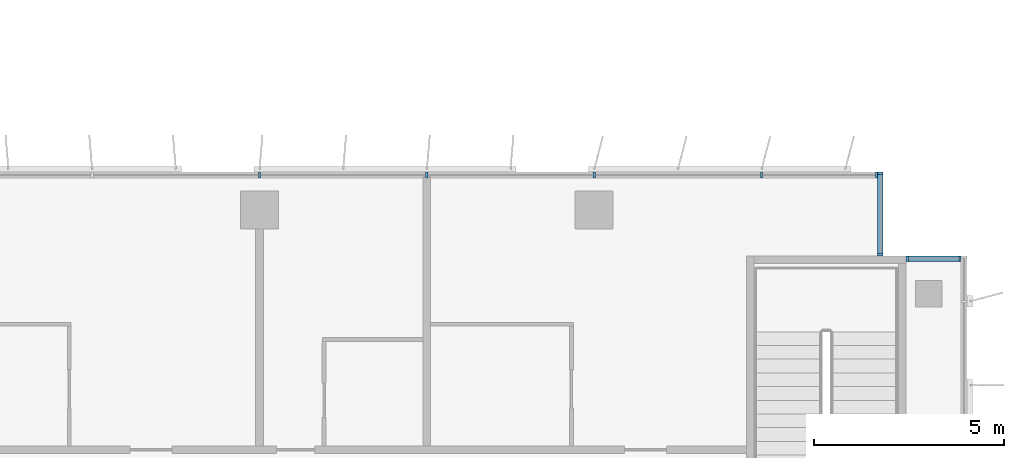
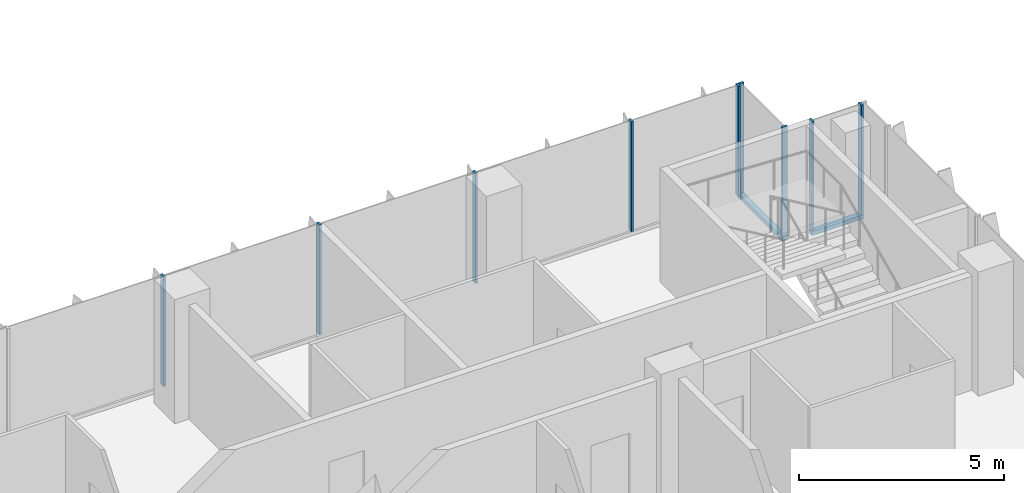
# One storey, part 4 of 21: 11 members, 3 elements without a shape of their own.
"""IFC4 building model written with IfcOpenShell, lengths in metres."""

from ifc_helpers import new_model, si_unit, direction, frame, origin, origin_2d, place, context, subcontext, project, spatial, rectangle, extrude, source, transform, mapped, material, material_profile, profile_set, type_object, element, aggregate, save


model = new_model("IFC4")

# Units and contexts
model_context = context("Model", 3, precision=1e-05, world=origin(), true_north=direction((0.0, 1.0)))
body_context = subcontext(model_context, "Body", "Model", "MODEL_VIEW")
ifc_project = project(units=[si_unit("LENGTHUNIT", "METRE"), si_unit("AREAUNIT", "SQUARE_METRE"), si_unit("VOLUMEUNIT", "CUBIC_METRE"), si_unit("PLANEANGLEUNIT", "RADIAN"), si_unit("MASSUNIT", "GRAM", prefix="KILO")], contexts=[model_context])

# Site, building, storey
site_placement = place(None, origin())
site = spatial("IfcSite", under=ifc_project, at=site_placement, CompositionType="ELEMENT")
building_placement = place(site_placement, origin())
building = spatial("IfcBuilding", under=site, at=building_placement, Name="Kemantara Hotel Tower", CompositionType="ELEMENT")
storey_placement = place(building_placement, frame((0.0, 0.0, 160.5)))
storey = spatial("IfcBuildingStorey", under=building, at=storey_placement, Name="L39", CompositionType="ELEMENT", Elevation=160.5)

# Curtain wall, member
ifc_material_1 = material(Name="Low-E tinted double insulated glass 36 mm", Category="glass")
curtain_wall_type = type_object("IfcCurtainWallType", Name="TOWER CURTAIN WALL, FRONT FACES", PredefinedType="USERDEFINED", material=ifc_material_1)
curtain_wall_1_placement = place(storey_placement, origin())
curtain_wall_1 = element("IfcCurtainWall", 1, at=curtain_wall_1_placement, inside=storey, type_object=curtain_wall_type, Name="CW4 L39 T3-R12-1", ObjectType="TOWER CURTAIN WALL, FRONT FACES", PredefinedType="USERDEFINED")
ifc_material_2 = material(Name="Aluminium 6063-T6 bronze anodised", Category="aluminium")
ifc_material_profile_1 = material_profile(ifc_material_2, rectangle(XDim=0.14990234375, YDim=0.1201171875, at=origin_2d()), Name="TOWER CURTAIN WALL, FRONT FACES TRANSOM")
ifc_profile_set_1 = profile_set([ifc_material_profile_1], Name="Aluminium 6063-T6 bronze anodised")
member_type_1 = type_object("IfcMemberType", Name="TOWER CURTAIN WALL, FRONT FACES TRANSOM", PredefinedType="USERDEFINED", material=ifc_profile_set_1)
member_1_placement = place(storey_placement, frame((63.449951171875, 19.72509765625, 0.06005859375), z_axis=(-1.0, 0.0, 0.0), x_axis=(0.0, -1.0, 0.0)))
member_1 = element("IfcMember", 2, at=member_1_placement, type_object=member_type_1, Name="CW4 sill transom T3-R12-1", ObjectType="TRANSOM", PredefinedType="USERDEFINED", context=body_context, shape_type="SweptSolid", body=[
    extrude(rectangle(XDim=0.14990234375, YDim=0.1201171875, at=origin_2d()), origin(), (0.0, 0.0, 1.0), 1.449951171875),
])

curtain_wall_2_placement = place(storey_placement, origin())
curtain_wall_2 = element("IfcCurtainWall", 3, at=curtain_wall_2_placement, inside=storey, type_object=curtain_wall_type, Name="CW4 L39 T3-R13-1", ObjectType="TOWER CURTAIN WALL, FRONT FACES", PredefinedType="USERDEFINED")
member_2_placement = place(storey_placement, frame((61.324951171875, 19.800048828125, 0.06005859375), z_axis=(0.0, 1.0, 0.0), x_axis=(-1.0, 0.0, 0.0)))
member_2 = element("IfcMember", 4, at=member_2_placement, type_object=member_type_1, Name="CW4 sill transom T3-R13-1", ObjectType="TRANSOM", PredefinedType="USERDEFINED", context=body_context, shape_type="SweptSolid", body=[
    extrude(rectangle(XDim=0.14990234375, YDim=0.1201171875, at=origin_2d()), origin(), (0.0, 0.0, 1.0), 2.199951171875),
])

# Curtain wall, members
curtain_wall_3_placement = place(storey_placement, origin())
curtain_wall_3 = element("IfcCurtainWall", 5, at=curtain_wall_3_placement, inside=storey, type_object=curtain_wall_type, Name="CW4 L39 T3-R14-1", ObjectType="TOWER CURTAIN WALL, FRONT FACES", PredefinedType="USERDEFINED")
ifc_material_profile_2 = material_profile(ifc_material_2, rectangle(XDim=0.14990234375, YDim=0.06005859375, at=origin_2d()), Name="TOWER CURTAIN WALL, FRONT FACES MULLION")
ifc_profile_set_2 = profile_set([ifc_material_profile_2], Name="Aluminium 6063-T6 bronze anodised")
member_type_2 = type_object("IfcMemberType", Name="TOWER CURTAIN WALL, FRONT FACES MULLION", PredefinedType="MULLION", material=ifc_profile_set_2)
shared_shape = source(origin(), body_context, "Body", "SweptSolid", [
    extrude(rectangle(XDim=0.14990234375, YDim=0.06005859375, at=origin_2d()), origin(), (0.0, 0.0, 1.0), 3.27978515625),
])
member_3_placement = place(storey_placement, frame((61.219970703125, 21.925048828125, 0.1201171875), z_axis=(0.0, 0.0, 1.0), x_axis=(0.0, -1.0, 0.0)))
member_3 = element("IfcMember", 6, at=member_3_placement, type_object=member_type_2, Name="CW4 mullion T3-R14-1.1", PredefinedType="MULLION", context=body_context, shape_type="MappedRepresentation", body=[
    mapped(shared_shape, transform((0.0, 0.0, 0.0))),
])
member_4_placement = place(storey_placement, frame((58.199951171875, 21.925048828125, 0.1201171875), z_axis=(0.0, 0.0, 1.0), x_axis=(0.0, -1.0, 0.0)))
member_4 = element("IfcMember", 7, at=member_4_placement, type_object=member_type_2, Name="CW4 mullion T3-R14-1.2", PredefinedType="MULLION", context=body_context, shape_type="MappedRepresentation", body=[
    mapped(shared_shape, transform((0.0, 0.0, 0.0))),
])
member_5_placement = place(storey_placement, frame((53.800048828125, 21.925048828125, 0.1201171875), z_axis=(0.0, 0.0, 1.0), x_axis=(0.0, -1.0, 0.0)))
member_5 = element("IfcMember", 8, at=member_5_placement, type_object=member_type_2, Name="CW4 mullion T3-R14-1.3", PredefinedType="MULLION", context=body_context, shape_type="MappedRepresentation", body=[
    mapped(shared_shape, transform((0.0, 0.0, 0.0))),
])
member_6_placement = place(storey_placement, frame((49.39990234375, 21.925048828125, 0.1201171875), z_axis=(0.0, 0.0, 1.0), x_axis=(0.0, -1.0, 0.0)))
member_6 = element("IfcMember", 9, at=member_6_placement, type_object=member_type_2, Name="CW4 mullion T3-R14-1.4", PredefinedType="MULLION", context=body_context, shape_type="MappedRepresentation", body=[
    mapped(shared_shape, transform((0.0, 0.0, 0.0))),
])
member_7_placement = place(storey_placement, frame((45.0, 21.925048828125, 0.1201171875), z_axis=(0.0, 0.0, 1.0), x_axis=(0.0, -1.0, 0.0)))
member_7 = element("IfcMember", 10, at=member_7_placement, type_object=member_type_2, Name="CW4 mullion T3-R14-1.5", PredefinedType="MULLION", context=body_context, shape_type="MappedRepresentation", body=[
    mapped(shared_shape, transform((0.0, 0.0, 0.0))),
])
aggregate(curtain_wall_3, [member_3, member_4, member_5, member_6, member_7])

# Member
member_8_placement = place(storey_placement, frame((63.419921875, 19.72509765625, 0.1201171875), z_axis=(0.0, 0.0, 1.0), x_axis=(0.0, -1.0, 0.0)))
member_8 = element("IfcMember", 11, at=member_8_placement, type_object=member_type_2, Name="CW4 mullion T3-R12-1.1", PredefinedType="MULLION", context=body_context, shape_type="MappedRepresentation", body=[
    mapped(shared_shape, transform((0.0, 0.0, 0.0))),
])

member_9_placement = place(storey_placement, frame((62.030029296875, 19.72509765625, 0.1201171875), z_axis=(0.0, 0.0, 1.0), x_axis=(0.0, -1.0, 0.0)))
member_9 = element("IfcMember", 12, at=member_9_placement, type_object=member_type_2, Name="CW4 mullion T3-R12-1.2", PredefinedType="MULLION", context=body_context, shape_type="MappedRepresentation", body=[
    mapped(shared_shape, transform((0.0, 0.0, 0.0))),
])

aggregate(curtain_wall_1, [member_1, member_8, member_9])

member_10_placement = place(storey_placement, frame((61.324951171875, 19.830078125, 0.1201171875), z_axis=(0.0, 0.0, 1.0), x_axis=(-1.0, 0.0, 0.0)))
member_10 = element("IfcMember", 13, at=member_10_placement, type_object=member_type_2, Name="CW4 mullion T3-R13-1.1", PredefinedType="MULLION", context=body_context, shape_type="MappedRepresentation", body=[
    mapped(shared_shape, transform((0.0, 0.0, 0.0))),
])

member_11_placement = place(storey_placement, frame((61.324951171875, 21.969970703125, 0.1201171875), z_axis=(0.0, 0.0, 1.0), x_axis=(-1.0, 0.0, 0.0)))
member_11 = element("IfcMember", 14, at=member_11_placement, type_object=member_type_2, Name="CW4 mullion T3-R13-1.2", PredefinedType="MULLION", context=body_context, shape_type="MappedRepresentation", body=[
    mapped(shared_shape, transform((0.0, 0.0, 0.0))),
])

aggregate(curtain_wall_2, [member_2, member_10, member_11])

save(model, "model.ifc")
